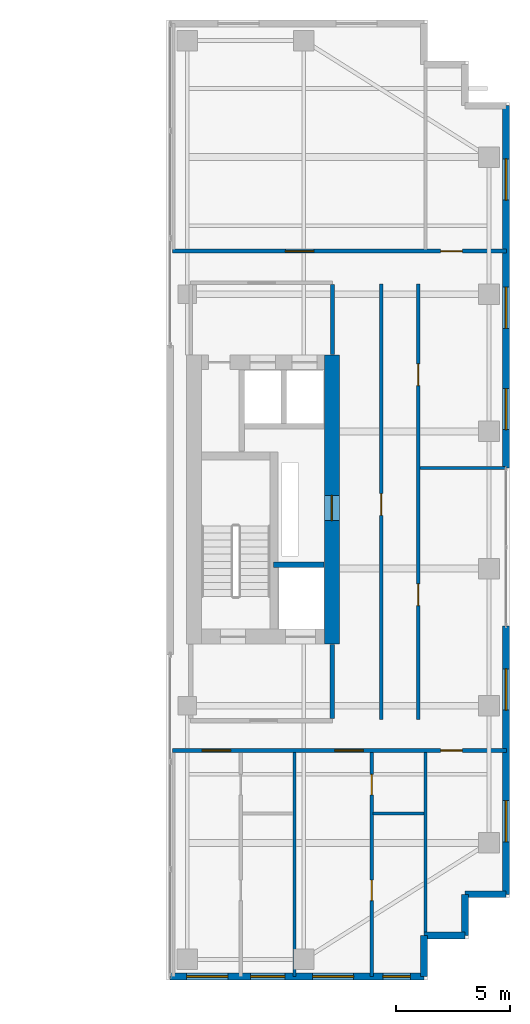
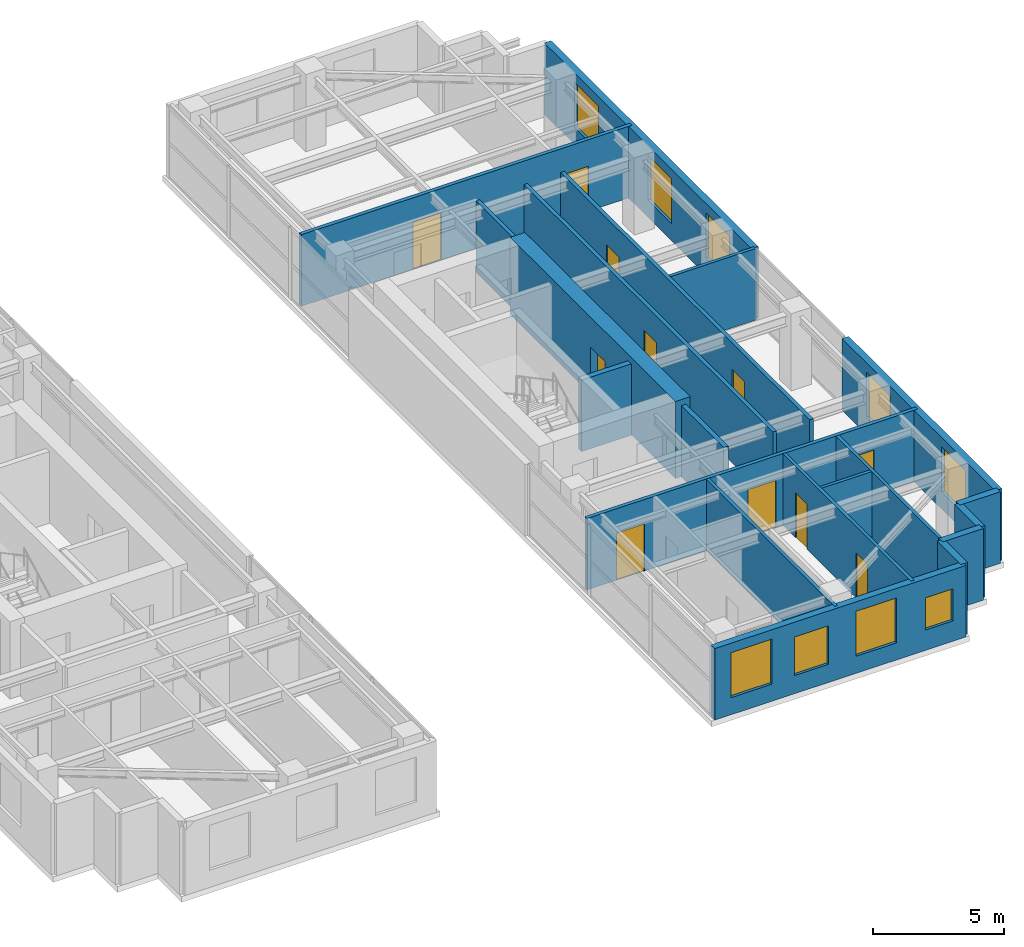
# One storey, part 18 of 20: 20 walls, 11 doors, 9 windows, 20 openings.
"""IFC4 building model written with IfcOpenShell, lengths in metres."""

from ifc_helpers import new_model, si_unit, direction, frame, frame_2d, origin, place, context, subcontext, project, spatial, rectangle, extrude, source, transform, mapped, material, layer, layer_set, type_object, element, fill, save


model = new_model("IFC4")

# Units and contexts
model_context = context("Model", 3, precision=1e-05, world=origin(), true_north=direction((0.0, 1.0)))
body_context = subcontext(model_context, "Body", "Model", "MODEL_VIEW")
ifc_project = project(units=[si_unit("LENGTHUNIT", "METRE"), si_unit("AREAUNIT", "SQUARE_METRE"), si_unit("VOLUMEUNIT", "CUBIC_METRE"), si_unit("PLANEANGLEUNIT", "RADIAN"), si_unit("MASSUNIT", "GRAM", prefix="KILO")], contexts=[model_context])

# Site, building, storey
site_placement = place(None, origin())
site = spatial("IfcSite", under=ifc_project, at=site_placement, CompositionType="ELEMENT")
building_placement = place(site_placement, origin())
building = spatial("IfcBuilding", under=site, at=building_placement, Name="Khoralis Quay Care Tower", CompositionType="ELEMENT")
storey_placement = place(building_placement, frame((0.0, 0.0, 198.89990234375)))
storey = spatial("IfcBuildingStorey", under=building, at=storey_placement, Name="L52", CompositionType="ELEMENT", Elevation=198.89990234375)

# Wall
ifc_material_1 = material(Name="Gypsum plasterboard on acoustic metal stud")
ifc_layer_1 = layer(ifc_material_1, 0.199951171875)
ifc_layer_set_1 = layer_set([ifc_layer_1], Name="Gypsum plasterboard on acoustic metal stud")
wall_type_1 = type_object("IfcWallType", Name="WL-COMP-200", PredefinedType="PARTITIONING", material=ifc_layer_set_1)
wall_1_placement = place(storey_placement, frame((37.25, 11.445068359375, 0.0), z_axis=(0.0, 0.0, 1.0), x_axis=(0.0, 1.0, 0.0)))
element("IfcWall", 1, at=wall_1_placement, inside=storey, type_object=wall_type_1, Name="L52 East Firefighting Lobby East Wall", PredefinedType="PARTITIONING", context=body_context, shape_type="SweptSolid", body=[
    extrude(rectangle(XDim=3.23486328125, YDim=0.199951171875, at=frame_2d((1.617431640625, 0.0))), origin(), (0.0, 0.0, 1.0), 3.340087890625),
])

# Wall, opening, door
ifc_material_2 = material(Name="Concrete C65/80", Category="concrete")
ifc_layer_2 = layer(ifc_material_2, 0.64990234375)
ifc_layer_set_2 = layer_set([ifc_layer_2], Name="Concrete C65/80")
wall_type_2 = type_object("IfcWallType", Name="WL-CORE-650", PredefinedType="SHEAR", material=ifc_layer_set_2)
wall_2_placement = place(storey_placement, frame((37.22509765625, 14.699951171875, 0.0), z_axis=(0.0, 0.0, 1.0), x_axis=(0.0, 1.0, 0.0)))
wall_2 = element("IfcWall", 2, at=wall_2_placement, inside=storey, type_object=wall_type_2, Name="L52 ECORE East Shear Wall", PredefinedType="SHEAR", context=body_context, shape_type="SweptSolid", body=[
    extrude(rectangle(XDim=12.650146484375, YDim=0.64990234375, at=frame_2d((6.3251953125, 0.0))), origin(), (0.0, 0.0, 1.0), 3.60009765625),
])
opening_1_placement = place(wall_2_placement, frame((5.39990234375, 0.0, 0.0)))
opening_1 = element("IfcOpeningElement", 3, at=opening_1_placement, cuts=wall_2, Name="Opening SD1", PredefinedType="OPENING", context=body_context, shape_type="SweptSolid", body=[
    extrude(rectangle(XDim=1.10009765625, YDim=2.199951171875, at=frame_2d((0.550048828125, 1.10009765625))), frame((0.0, 0.3349609375, 0.0), z_axis=(0.0, -1.0, 0.0), x_axis=(1.0, 0.0, 0.0)), (0.0, 0.0, 1.0), 0.669921875),
])
ifc_material_3 = material(Name="Fire-rated painted steel", Category="steel")
door_type_1 = type_object("IfcDoorType", Name="DR-STAIR-1100X2200", OperationType="NOTDEFINED", PredefinedType="DOOR", material=ifc_material_3)
shared_shape_1 = source(origin(), body_context, "Body", "SweptSolid", [
    extrude(rectangle(XDim=1.10009765625, YDim=2.199951171875, at=frame_2d((0.550048828125, 1.10009765625))), frame((0.0, 0.02490234375, 0.0), z_axis=(0.0, -1.0, 0.0), x_axis=(1.0, 0.0, 0.0)), (0.0, 0.0, 1.0), 0.050048828125),
])
door_1_placement = place(opening_1_placement, frame((1.10009765625, 0.0, 0.0), z_axis=(0.0, 0.0, 1.0), x_axis=(-1.0, 0.0, 0.0)))
door_1 = element("IfcDoor", 4, at=door_1_placement, inside=storey, type_object=door_type_1, Name="L52 East MEP Riser Door", OperationType="SINGLE_SWING_LEFT", OverallHeight=2.199951171875, OverallWidth=1.10009765625, PredefinedType="DOOR", context=body_context, shape_type="MappedRepresentation", body=[
    mapped(shared_shape_1, transform((0.0, 0.0, 0.0), scale=1.0)),
])
fill(opening_1, door_1)

# Wall
ifc_layer_3 = layer(ifc_material_1, 0.1650390625)
ifc_layer_set_3 = layer_set([ifc_layer_3], Name="Gypsum plasterboard on acoustic metal stud")
wall_type_3 = type_object("IfcWallType", Name="WL-CORR-165", PredefinedType="PARTITIONING", material=ifc_layer_set_3)
wall_3_placement = place(storey_placement, frame((37.25, 27.3701171875, 0.0), z_axis=(0.0, 0.0, 1.0), x_axis=(0.0, 1.0, 0.0)))
element("IfcWall", 5, at=wall_3_placement, inside=storey, type_object=wall_type_3, Name="L52 East Lift Lobby East Wall", PredefinedType="PARTITIONING", context=body_context, shape_type="SweptSolid", body=[
    extrude(rectangle(XDim=3.052490234375, YDim=0.1650390625, at=frame_2d((1.5263671875, 0.0))), origin(), (0.0, 0.0, 1.0), 3.340087890625),
])

# Wall, openings, doors
wall_4_placement = place(storey_placement, frame((30.25, 10.0400390625, 0.0), z_axis=(0.0, 0.0, 1.0), x_axis=(1.0, 0.0, 0.0)))
wall_4 = element("IfcWall", 6, at=wall_4_placement, inside=storey, type_object=wall_type_3, Name="L52 East Wing South Corridor Wall", PredefinedType="PARTITIONING", context=body_context, shape_type="SweptSolid", body=[
    extrude(rectangle(XDim=14.60498046875, YDim=0.1650390625, at=frame_2d((7.302490234375, 0.0))), origin(), (0.0, 0.0, 1.0), 3.340087890625),
])
opening_2_placement = place(wall_4_placement, frame((1.294921875, 0.0, 0.0)))
opening_2 = element("IfcOpeningElement", 7, at=opening_2_placement, cuts=wall_4, Name="Opening CD1", PredefinedType="OPENING", context=body_context, shape_type="SweptSolid", body=[
    extrude(rectangle(XDim=1.25, YDim=2.199951171875, at=frame_2d((0.625, 1.10009765625))), frame((0.0, 0.092529296875, 0.0), z_axis=(0.0, -1.0, 0.0), x_axis=(1.0, 0.0, 0.0)), (0.0, 0.0, 1.0), 0.18505859375),
])
opening_3_placement = place(wall_4_placement, frame((7.10498046875, 0.0, 0.0)))
opening_3 = element("IfcOpeningElement", 8, at=opening_3_placement, cuts=wall_4, Name="Opening CD1", PredefinedType="OPENING", context=body_context, shape_type="SweptSolid", body=[
    extrude(rectangle(XDim=1.25, YDim=2.199951171875, at=frame_2d((0.625, 1.10009765625))), frame((0.0, 0.092529296875, 0.0), z_axis=(0.0, -1.0, 0.0), x_axis=(1.0, 0.0, 0.0)), (0.0, 0.0, 1.0), 0.18505859375),
])
opening_4_placement = place(wall_4_placement, frame((11.735107421875, 0.0, 0.0)))
opening_4 = element("IfcOpeningElement", 9, at=opening_4_placement, cuts=wall_4, Name="Opening ID1", PredefinedType="OPENING", context=body_context, shape_type="SweptSolid", body=[
    extrude(rectangle(XDim=0.949951171875, YDim=2.10009765625, at=frame_2d((0.47509765625, 1.050048828125))), frame((0.0, 0.092529296875, 0.0), z_axis=(0.0, -1.0, 0.0), x_axis=(1.0, 0.0, 0.0)), (0.0, 0.0, 1.0), 0.18505859375),
])
ifc_material_4 = material(Name="Acoustic hardwood timber", Category="wood")
door_type_2 = type_object("IfcDoorType", Name="DR-CARE-1250X2200", OperationType="NOTDEFINED", PredefinedType="DOOR", material=ifc_material_4)
shared_shape_2 = source(origin(), body_context, "Body", "SweptSolid", [
    extrude(rectangle(XDim=1.25, YDim=2.199951171875, at=frame_2d((0.625, 1.10009765625))), frame((0.0, 0.02490234375, 0.0), z_axis=(0.0, -1.0, 0.0), x_axis=(1.0, 0.0, 0.0)), (0.0, 0.0, 1.0), 0.050048828125),
])
door_2_placement = place(opening_2_placement, frame((1.25, 0.0, 0.0), z_axis=(0.0, 0.0, 1.0), x_axis=(-1.0, 0.0, 0.0)))
door_2 = element("IfcDoor", 10, at=door_2_placement, inside=storey, type_object=door_type_2, Name="L52 Care Suite ES0 Clinical Door", OperationType="SINGLE_SWING_LEFT", OverallHeight=2.199951171875, OverallWidth=1.25, PredefinedType="DOOR", context=body_context, shape_type="MappedRepresentation", body=[
    mapped(shared_shape_2, transform((0.0, 0.0, 0.0), scale=1.0)),
])
fill(opening_2, door_2)
door_3_placement = place(opening_3_placement, frame((1.25, 0.0, 0.0), z_axis=(0.0, 0.0, 1.0), x_axis=(-1.0, 0.0, 0.0)))
door_3 = element("IfcDoor", 11, at=door_3_placement, inside=storey, type_object=door_type_2, Name="L52 Care Suite ES1 Clinical Door", OperationType="SINGLE_SWING_RIGHT", OverallHeight=2.199951171875, OverallWidth=1.25, PredefinedType="DOOR", context=body_context, shape_type="MappedRepresentation", body=[
    mapped(shared_shape_2, transform((0.0, 0.0, 0.0), scale=1.0)),
])
fill(opening_3, door_3)
door_type_3 = type_object("IfcDoorType", Name="DR-ROOM-950X2100", OperationType="NOTDEFINED", PredefinedType="DOOR", material=ifc_material_4)
shared_shape_3 = source(origin(), body_context, "Body", "SweptSolid", [
    extrude(rectangle(XDim=0.949951171875, YDim=2.10009765625, at=frame_2d((0.47509765625, 1.050048828125))), frame((0.0, 0.02490234375, 0.0), z_axis=(0.0, -1.0, 0.0), x_axis=(1.0, 0.0, 0.0)), (0.0, 0.0, 1.0), 0.050048828125),
])
door_4_placement = place(opening_4_placement, frame((0.949951171875, 0.0, 0.0), z_axis=(0.0, 0.0, 1.0), x_axis=(-1.0, 0.0, 0.0)))
door_4 = element("IfcDoor", 12, at=door_4_placement, inside=storey, type_object=door_type_3, Name="L52 SE Corner Door", OperationType="SINGLE_SWING_RIGHT", OverallHeight=2.10009765625, OverallWidth=0.949951171875, PredefinedType="DOOR", context=body_context, shape_type="MappedRepresentation", body=[
    mapped(shared_shape_3, transform((0.0, 0.0, 0.0), scale=1.0)),
])
fill(opening_4, door_4)

wall_5_placement = place(storey_placement, frame((30.25, 31.889892578125, 0.0), z_axis=(0.0, 0.0, 1.0), x_axis=(1.0, 0.0, 0.0)))
wall_5 = element("IfcWall", 13, at=wall_5_placement, inside=storey, type_object=wall_type_3, Name="L52 East Wing North Corridor Wall", PredefinedType="PARTITIONING", context=body_context, shape_type="SweptSolid", body=[
    extrude(rectangle(XDim=14.60498046875, YDim=0.1650390625, at=frame_2d((7.302490234375, 0.0))), origin(), (0.0, 0.0, 1.0), 3.340087890625),
])
opening_5_placement = place(wall_5_placement, frame((4.93505859375, 0.0, 0.0)))
opening_5 = element("IfcOpeningElement", 14, at=opening_5_placement, cuts=wall_5, Name="Opening CD1", PredefinedType="OPENING", context=body_context, shape_type="SweptSolid", body=[
    extrude(rectangle(XDim=1.25, YDim=2.199951171875, at=frame_2d((0.625, 1.10009765625))), frame((0.0, 0.092529296875, 0.0), z_axis=(0.0, -1.0, 0.0), x_axis=(1.0, 0.0, 0.0)), (0.0, 0.0, 1.0), 0.18505859375),
])
opening_6_placement = place(wall_5_placement, frame((11.735107421875, 0.0, 0.0)))
opening_6 = element("IfcOpeningElement", 15, at=opening_6_placement, cuts=wall_5, Name="Opening ID1", PredefinedType="OPENING", context=body_context, shape_type="SweptSolid", body=[
    extrude(rectangle(XDim=0.949951171875, YDim=2.10009765625, at=frame_2d((0.47509765625, 1.050048828125))), frame((0.0, 0.092529296875, 0.0), z_axis=(0.0, -1.0, 0.0), x_axis=(1.0, 0.0, 0.0)), (0.0, 0.0, 1.0), 0.18505859375),
])
door_5_placement = place(opening_5_placement, origin())
door_5 = element("IfcDoor", 16, at=door_5_placement, inside=storey, type_object=door_type_2, Name="L52 Physiotherapy Treatment Clinic Door", OperationType="SINGLE_SWING_LEFT", OverallHeight=2.199951171875, OverallWidth=1.25, PredefinedType="DOOR", context=body_context, shape_type="MappedRepresentation", body=[
    mapped(shared_shape_2, transform((0.0, 0.0, 0.0), scale=1.0)),
])
fill(opening_5, door_5)
door_6_placement = place(opening_6_placement, origin())
door_6 = element("IfcDoor", 17, at=door_6_placement, inside=storey, type_object=door_type_3, Name="L52 NE Corner Door", OperationType="SINGLE_SWING_LEFT", OverallHeight=2.10009765625, OverallWidth=0.949951171875, PredefinedType="DOOR", context=body_context, shape_type="MappedRepresentation", body=[
    mapped(shared_shape_3, transform((0.0, 0.0, 0.0), scale=1.0)),
])
fill(opening_6, door_6)

wall_6_placement = place(storey_placement, frame((41.0, 11.39990234375, 0.0), z_axis=(0.0, 0.0, 1.0), x_axis=(0.0, 1.0, 0.0)))
wall_6 = element("IfcWall", 18, at=wall_6_placement, inside=storey, type_object=wall_type_3, Name="L52 East Gallery Wall", PredefinedType="PARTITIONING", context=body_context, shape_type="SweptSolid", body=[
    extrude(rectangle(XDim=19.050048828125, YDim=0.1650390625, at=frame_2d((9.52490234375, 0.0))), origin(), (0.0, 0.0, 1.0), 3.340087890625),
])
opening_7_placement = place(wall_6_placement, frame((4.97509765625, 0.0, 0.0)))
opening_7 = element("IfcOpeningElement", 19, at=opening_7_placement, cuts=wall_6, Name="Opening ID1", PredefinedType="OPENING", context=body_context, shape_type="SweptSolid", body=[
    extrude(rectangle(XDim=0.949951171875, YDim=2.10009765625, at=frame_2d((0.47509765625, 1.050048828125))), frame((0.0, 0.092529296875, 0.0), z_axis=(0.0, -1.0, 0.0), x_axis=(1.0, 0.0, 0.0)), (0.0, 0.0, 1.0), 0.18505859375),
])
opening_8_placement = place(wall_6_placement, frame((14.60009765625, 0.0, 0.0)))
opening_8 = element("IfcOpeningElement", 20, at=opening_8_placement, cuts=wall_6, Name="Opening ID1", PredefinedType="OPENING", context=body_context, shape_type="SweptSolid", body=[
    extrude(rectangle(XDim=0.949951171875, YDim=2.10009765625, at=frame_2d((0.47509765625, 1.050048828125))), frame((0.0, 0.092529296875, 0.0), z_axis=(0.0, -1.0, 0.0), x_axis=(1.0, 0.0, 0.0)), (0.0, 0.0, 1.0), 0.18505859375),
])
door_7_placement = place(opening_7_placement, origin())
door_7 = element("IfcDoor", 21, at=door_7_placement, inside=storey, type_object=door_type_3, Name="L52 East Waterfront Rehab Clinic Door", OperationType="SINGLE_SWING_LEFT", OverallHeight=2.10009765625, OverallWidth=0.949951171875, PredefinedType="DOOR", context=body_context, shape_type="MappedRepresentation", body=[
    mapped(shared_shape_3, transform((0.0, 0.0, 0.0), scale=1.0)),
])
fill(opening_7, door_7)
door_8_placement = place(opening_8_placement, origin())
door_8 = element("IfcDoor", 22, at=door_8_placement, inside=storey, type_object=door_type_3, Name="L52 East Bay Care Office Door", OperationType="SINGLE_SWING_RIGHT", OverallHeight=2.10009765625, OverallWidth=0.949951171875, PredefinedType="DOOR", context=body_context, shape_type="MappedRepresentation", body=[
    mapped(shared_shape_3, transform((0.0, 0.0, 0.0), scale=1.0)),
])
fill(opening_8, door_8)

# Wall, opening, door
wall_7_placement = place(storey_placement, frame((39.3798828125, 11.39990234375, 0.0), z_axis=(0.0, 0.0, 1.0), x_axis=(0.0, 1.0, 0.0)))
wall_7 = element("IfcWall", 23, at=wall_7_placement, inside=storey, type_object=wall_type_3, Name="L52 East Inner Clinic Wall", PredefinedType="PARTITIONING", context=body_context, shape_type="SweptSolid", body=[
    extrude(rectangle(XDim=19.050048828125, YDim=0.1650390625, at=frame_2d((9.52490234375, 0.0))), origin(), (0.0, 0.0, 1.0), 3.340087890625),
])
opening_9_placement = place(wall_7_placement, frame((8.925048828125, 0.0, 0.0)))
opening_9 = element("IfcOpeningElement", 24, at=opening_9_placement, cuts=wall_7, Name="Opening ID1", PredefinedType="OPENING", context=body_context, shape_type="SweptSolid", body=[
    extrude(rectangle(XDim=0.949951171875, YDim=2.10009765625, at=frame_2d((0.47509765625, 1.050048828125))), frame((0.0, 0.092529296875, 0.0), z_axis=(0.0, -1.0, 0.0), x_axis=(1.0, 0.0, 0.0)), (0.0, 0.0, 1.0), 0.18505859375),
])
door_9_placement = place(opening_9_placement, frame((0.949951171875, 0.0, 0.0), z_axis=(0.0, 0.0, 1.0), x_axis=(-1.0, 0.0, 0.0)))
door_9 = element("IfcDoor", 25, at=door_9_placement, inside=storey, type_object=door_type_3, Name="L52 East Rehab Therapy Door", OperationType="SINGLE_SWING_LEFT", OverallHeight=2.10009765625, OverallWidth=0.949951171875, PredefinedType="DOOR", context=body_context, shape_type="MappedRepresentation", body=[
    mapped(shared_shape_3, transform((0.0, 0.0, 0.0), scale=1.0)),
])
fill(opening_9, door_9)

# Wall, openings, windows
ifc_material_5 = material(Name="Precast concrete C45/55", Category="concrete")
ifc_layer_4 = layer(ifc_material_5, 0.300048828125)
ifc_layer_set_4 = layer_set([ifc_layer_4], Name="Precast concrete C45/55")
wall_type_4 = type_object("IfcWallType", Name="WL-EXT-REF-300", PredefinedType="SOLIDWALL", material=ifc_layer_set_4)
wall_8_placement = place(storey_placement, frame((30.14990234375, 0.14990234375, 0.0), z_axis=(0.0, 0.0, 1.0), x_axis=(1.0, 0.0, 0.0)))
wall_8 = element("IfcWall", 26, at=wall_8_placement, inside=storey, type_object=wall_type_4, Name="L52 External Facade Wall WL-EXT-L52-P2-E0", PredefinedType="SOLIDWALL", context=body_context, shape_type="SweptSolid", body=[
    extrude(rectangle(XDim=11.10009765625, YDim=0.300048828125, at=frame_2d((5.550048828125, 0.0))), origin(), (0.0, 0.0, 1.0), 3.340087890625),
])
opening_10_placement = place(wall_8_placement, frame((0.719970703125, 0.0, 0.800048828125)))
opening_10 = element("IfcOpeningElement", 27, at=opening_10_placement, cuts=wall_8, Name="Opening W2", PredefinedType="OPENING", context=body_context, shape_type="SweptSolid", body=[
    extrude(rectangle(XDim=1.800048828125, YDim=2.10009765625, at=frame_2d((0.89990234375, 1.050048828125))), frame((0.0, 0.16015625, 0.0), z_axis=(0.0, -1.0, 0.0), x_axis=(1.0, 0.0, 0.0)), (0.0, 0.0, 1.0), 0.320068359375),
])
opening_11_placement = place(wall_8_placement, frame((3.514892578125, 0.0, 0.85009765625)))
opening_11 = element("IfcOpeningElement", 28, at=opening_11_placement, cuts=wall_8, Name="Opening W3", PredefinedType="OPENING", context=body_context, shape_type="SweptSolid", body=[
    extrude(rectangle(XDim=1.5, YDim=1.800048828125, at=frame_2d((0.75, 0.89990234375))), frame((0.0, 0.16015625, 0.0), z_axis=(0.0, -1.0, 0.0), x_axis=(1.0, 0.0, 0.0)), (0.0, 0.0, 1.0), 0.320068359375),
])
opening_12_placement = place(wall_8_placement, frame((6.22998046875, 0.0, 0.800048828125)))
opening_12 = element("IfcOpeningElement", 29, at=opening_12_placement, cuts=wall_8, Name="Opening W2", PredefinedType="OPENING", context=body_context, shape_type="SweptSolid", body=[
    extrude(rectangle(XDim=1.800048828125, YDim=2.10009765625, at=frame_2d((0.89990234375, 1.050048828125))), frame((0.0, 0.16015625, 0.0), z_axis=(0.0, -1.0, 0.0), x_axis=(1.0, 0.0, 0.0)), (0.0, 0.0, 1.0), 0.320068359375),
])
opening_13_placement = place(wall_8_placement, frame((9.31005859375, 0.0, 0.949951171875)))
opening_13 = element("IfcOpeningElement", 30, at=opening_13_placement, cuts=wall_8, Name="Opening W6", PredefinedType="OPENING", context=body_context, shape_type="SweptSolid", body=[
    extrude(rectangle(XDim=1.199951171875, YDim=1.5, at=frame_2d((0.60009765625, 0.75))), frame((0.0, 0.16015625, 0.0), z_axis=(0.0, -1.0, 0.0), x_axis=(1.0, 0.0, 0.0)), (0.0, 0.0, 1.0), 0.320068359375),
])
ifc_material_6 = material(Name="Low-E solar-control double glazing", Category="glass")
window_type_1 = type_object("IfcWindowType", Name="WN-CLIN-1500X1800", PartitioningType="SINGLE_PANEL", PredefinedType="WINDOW", material=ifc_material_6)
shared_shape_4 = source(origin(), body_context, "Body", "SweptSolid", [
    extrude(rectangle(XDim=1.5, YDim=1.800048828125, at=frame_2d((0.75, 0.89990234375))), frame((0.0, 0.030029296875, 0.0), z_axis=(0.0, -1.0, 0.0), x_axis=(1.0, 0.0, 0.0)), (0.0, 0.0, 1.0), 0.06005859375),
])
window_1_placement = place(opening_11_placement, origin())
window_1 = element("IfcWindow", 31, at=window_1_placement, inside=storey, type_object=window_type_1, Name="WN-L52-P2-E0 Facade Window 02", OverallHeight=1.800048828125, OverallWidth=1.5, PartitioningType="SINGLE_PANEL", PredefinedType="WINDOW", context=body_context, shape_type="MappedRepresentation", body=[
    mapped(shared_shape_4, transform((0.0, 0.0, 0.0), scale=1.0)),
])
fill(opening_11, window_1)
window_type_2 = type_object("IfcWindowType", Name="WN-SCH-1200X1500", PartitioningType="SINGLE_PANEL", PredefinedType="WINDOW", material=ifc_material_6)
shared_shape_5 = source(origin(), body_context, "Body", "SweptSolid", [
    extrude(rectangle(XDim=1.199951171875, YDim=1.5, at=frame_2d((0.60009765625, 0.75))), frame((0.0, 0.030029296875, 0.0), z_axis=(0.0, -1.0, 0.0), x_axis=(1.0, 0.0, 0.0)), (0.0, 0.0, 1.0), 0.06005859375),
])
window_2_placement = place(opening_13_placement, origin())
window_2 = element("IfcWindow", 32, at=window_2_placement, inside=storey, type_object=window_type_2, Name="WN-L52-P2-E0 Facade Window 04", OverallHeight=1.5, OverallWidth=1.199951171875, PartitioningType="SINGLE_PANEL", PredefinedType="WINDOW", context=body_context, shape_type="MappedRepresentation", body=[
    mapped(shared_shape_5, transform((0.0, 0.0, 0.0), scale=1.0)),
])
fill(opening_13, window_2)
window_type_3 = type_object("IfcWindowType", Name="WN-POD-1800X2100", PartitioningType="SINGLE_PANEL", PredefinedType="WINDOW", material=ifc_material_6)
shared_shape_6 = source(origin(), body_context, "Body", "SweptSolid", [
    extrude(rectangle(XDim=1.800048828125, YDim=2.10009765625, at=frame_2d((0.89990234375, 1.050048828125))), frame((0.0, 0.030029296875, 0.0), z_axis=(0.0, -1.0, 0.0), x_axis=(1.0, 0.0, 0.0)), (0.0, 0.0, 1.0), 0.06005859375),
])
window_3_placement = place(opening_10_placement, origin())
window_3 = element("IfcWindow", 33, at=window_3_placement, inside=storey, type_object=window_type_3, Name="WN-L52-P2-E0 Facade Window 01", OverallHeight=2.10009765625, OverallWidth=1.800048828125, PartitioningType="SINGLE_PANEL", PredefinedType="WINDOW", context=body_context, shape_type="MappedRepresentation", body=[
    mapped(shared_shape_6, transform((0.0, 0.0, 0.0), scale=1.0)),
])
fill(opening_10, window_3)
window_4_placement = place(opening_12_placement, origin())
window_4 = element("IfcWindow", 34, at=window_4_placement, inside=storey, type_object=window_type_3, Name="WN-L52-P2-E0 Facade Window 03", OverallHeight=2.10009765625, OverallWidth=1.800048828125, PartitioningType="SINGLE_PANEL", PredefinedType="WINDOW", context=body_context, shape_type="MappedRepresentation", body=[
    mapped(shared_shape_6, transform((0.0, 0.0, 0.0), scale=1.0)),
])
fill(opening_12, window_4)

# Walls
for number, where, z_axis, x_axis, name in (
    (35, (41.25, 0.14990234375, 0.0), (0.0, 0.0, 1.0), (0.0, 1.0, 0.0), "L52 External Facade Wall WL-EXT-L52-P2-C1"),
    (36, (41.25, 1.949951171875, 0.0), (0.0, 0.0, 1.0), (1.0, 0.0, 0.0), "L52 External Facade Wall WL-EXT-L52-P2-C2"),
    (37, (43.050048828125, 1.949951171875, 0.0), (0.0, 0.0, 1.0), (0.0, 1.0, 0.0), "L52 External Facade Wall WL-EXT-L52-P2-C3"),
    (38, (43.050048828125, 3.75, 0.0), (0.0, 0.0, 1.0), (1.0, 0.0, 0.0), "L52 External Facade Wall WL-EXT-L52-P2-C4"),
):
    element("IfcWall", number, at=place(storey_placement, frame(where, z_axis=z_axis, x_axis=x_axis)), inside=storey, type_object=wall_type_4, Name=name, PredefinedType="SOLIDWALL", context=body_context, shape_type="SweptSolid", body=[
        extrude(rectangle(XDim=1.800048828125, YDim=0.300048828125, at=frame_2d((0.89990234375, 0.0))), origin(), (0.0, 0.0, 1.0), 3.340087890625),
    ])

# Wall, openings, windows
wall_9_placement = place(storey_placement, frame((44.85009765625, 3.75, 0.0), z_axis=(0.0, 0.0, 1.0), x_axis=(0.0, 1.0, 0.0)))
wall_9 = element("IfcWall", 39, at=wall_9_placement, inside=storey, type_object=wall_type_4, Name="L52 External Facade Wall WL-EXT-L52-P2-E5A", PredefinedType="SOLIDWALL", context=body_context, shape_type="SweptSolid", body=[
    extrude(rectangle(XDim=11.72998046875, YDim=0.300048828125, at=frame_2d((5.864990234375, 0.0))), origin(), (0.0, 0.0, 1.0), 3.340087890625),
])
opening_14_placement = place(wall_9_placement, frame((2.294921875, 0.0, 0.800048828125)))
opening_14 = element("IfcOpeningElement", 40, at=opening_14_placement, cuts=wall_9, Name="Opening W2", PredefinedType="OPENING", context=body_context, shape_type="SweptSolid", body=[
    extrude(rectangle(XDim=1.800048828125, YDim=2.10009765625, at=frame_2d((0.89990234375, 1.050048828125))), frame((0.0, 0.16015625, 0.0), z_axis=(0.0, -1.0, 0.0), x_axis=(1.0, 0.0, 0.0)), (0.0, 0.0, 1.0), 0.320068359375),
])
opening_15_placement = place(wall_9_placement, frame((8.06005859375, 0.0, 0.800048828125)))
opening_15 = element("IfcOpeningElement", 41, at=opening_15_placement, cuts=wall_9, Name="Opening W2", PredefinedType="OPENING", context=body_context, shape_type="SweptSolid", body=[
    extrude(rectangle(XDim=1.800048828125, YDim=2.10009765625, at=frame_2d((0.89990234375, 1.050048828125))), frame((0.0, 0.16015625, 0.0), z_axis=(0.0, -1.0, 0.0), x_axis=(1.0, 0.0, 0.0)), (0.0, 0.0, 1.0), 0.320068359375),
])
window_5_placement = place(opening_14_placement, origin())
window_5 = element("IfcWindow", 42, at=window_5_placement, inside=storey, type_object=window_type_3, Name="WN-L52-P2-E5A Facade Window 01", OverallHeight=2.10009765625, OverallWidth=1.800048828125, PartitioningType="SINGLE_PANEL", PredefinedType="WINDOW", context=body_context, shape_type="MappedRepresentation", body=[
    mapped(shared_shape_6, transform((0.0, 0.0, 0.0), scale=1.0)),
])
fill(opening_14, window_5)
window_6_placement = place(opening_15_placement, origin())
window_6 = element("IfcWindow", 43, at=window_6_placement, inside=storey, type_object=window_type_3, Name="WN-L52-P2-E5A Facade Window 02", OverallHeight=2.10009765625, OverallWidth=1.800048828125, PartitioningType="SINGLE_PANEL", PredefinedType="WINDOW", context=body_context, shape_type="MappedRepresentation", body=[
    mapped(shared_shape_6, transform((0.0, 0.0, 0.0), scale=1.0)),
])
fill(opening_15, window_6)

wall_10_placement = place(storey_placement, frame((44.85009765625, 22.39990234375, 0.0), z_axis=(0.0, 0.0, 1.0), x_axis=(0.0, 1.0, 0.0)))
wall_10 = element("IfcWall", 44, at=wall_10_placement, inside=storey, type_object=wall_type_4, Name="L52 External Facade Wall WL-EXT-L52-P2-E5B", PredefinedType="SOLIDWALL", context=body_context, shape_type="SweptSolid", body=[
    extrude(rectangle(XDim=15.85009765625, YDim=0.300048828125, at=frame_2d((7.925048828125, 0.0))), origin(), (0.0, 0.0, 1.0), 3.340087890625),
])
opening_16_placement = place(wall_10_placement, frame((1.677490234375, 0.0, 0.800048828125)))
opening_16 = element("IfcOpeningElement", 45, at=opening_16_placement, cuts=wall_10, Name="Opening W2", PredefinedType="OPENING", context=body_context, shape_type="SweptSolid", body=[
    extrude(rectangle(XDim=1.800048828125, YDim=2.10009765625, at=frame_2d((0.89990234375, 1.050048828125))), frame((0.0, 0.16015625, 0.0), z_axis=(0.0, -1.0, 0.0), x_axis=(1.0, 0.0, 0.0)), (0.0, 0.0, 1.0), 0.320068359375),
])
opening_17_placement = place(wall_10_placement, frame((6.112548828125, 0.0, 0.800048828125)))
opening_17 = element("IfcOpeningElement", 46, at=opening_17_placement, cuts=wall_10, Name="Opening W2", PredefinedType="OPENING", context=body_context, shape_type="SweptSolid", body=[
    extrude(rectangle(XDim=1.800048828125, YDim=2.10009765625, at=frame_2d((0.89990234375, 1.050048828125))), frame((0.0, 0.16015625, 0.0), z_axis=(0.0, -1.0, 0.0), x_axis=(1.0, 0.0, 0.0)), (0.0, 0.0, 1.0), 0.320068359375),
])
opening_18_placement = place(wall_10_placement, frame((11.719970703125, 0.0, 0.800048828125)))
opening_18 = element("IfcOpeningElement", 47, at=opening_18_placement, cuts=wall_10, Name="Opening W2", PredefinedType="OPENING", context=body_context, shape_type="SweptSolid", body=[
    extrude(rectangle(XDim=1.800048828125, YDim=2.10009765625, at=frame_2d((0.89990234375, 1.050048828125))), frame((0.0, 0.16015625, 0.0), z_axis=(0.0, -1.0, 0.0), x_axis=(1.0, 0.0, 0.0)), (0.0, 0.0, 1.0), 0.320068359375),
])
window_7_placement = place(opening_16_placement, origin())
window_7 = element("IfcWindow", 48, at=window_7_placement, inside=storey, type_object=window_type_3, Name="WN-L52-P2-E5B Facade Window 01", OverallHeight=2.10009765625, OverallWidth=1.800048828125, PartitioningType="SINGLE_PANEL", PredefinedType="WINDOW", context=body_context, shape_type="MappedRepresentation", body=[
    mapped(shared_shape_6, transform((0.0, 0.0, 0.0), scale=1.0)),
])
fill(opening_16, window_7)
window_8_placement = place(opening_17_placement, origin())
window_8 = element("IfcWindow", 49, at=window_8_placement, inside=storey, type_object=window_type_3, Name="WN-L52-P2-E5B Facade Window 02", OverallHeight=2.10009765625, OverallWidth=1.800048828125, PartitioningType="SINGLE_PANEL", PredefinedType="WINDOW", context=body_context, shape_type="MappedRepresentation", body=[
    mapped(shared_shape_6, transform((0.0, 0.0, 0.0), scale=1.0)),
])
fill(opening_17, window_8)
window_9_placement = place(opening_18_placement, origin())
window_9 = element("IfcWindow", 50, at=window_9_placement, inside=storey, type_object=window_type_3, Name="WN-L52-P2-E5B Facade Window 03", OverallHeight=2.10009765625, OverallWidth=1.800048828125, PartitioningType="SINGLE_PANEL", PredefinedType="WINDOW", context=body_context, shape_type="MappedRepresentation", body=[
    mapped(shared_shape_6, transform((0.0, 0.0, 0.0), scale=1.0)),
])
fill(opening_18, window_9)

# Wall, openings, doors
ifc_material_7 = material(Name="Moisture-resistant gypsum and ceramic tile")
ifc_layer_5 = layer(ifc_material_7, 0.280029296875)
ifc_layer_set_5 = layer_set([ifc_layer_5], Name="Moisture-resistant gypsum and ceramic tile")
wall_type_5 = type_object("IfcWallType", Name="WL-PLUMB-280", PredefinedType="PLUMBINGWALL", material=ifc_layer_set_5)
wall_11_placement = place(storey_placement, frame((38.969970703125, 0.14501953125, 0.0), z_axis=(0.0, 0.0, 1.0), x_axis=(0.0, 1.0, 0.0)))
wall_11 = element("IfcWall", 51, at=wall_11_placement, inside=storey, type_object=wall_type_5, Name="L52 Care Suite 1 En-Suite Wall V", PredefinedType="PLUMBINGWALL", context=body_context, shape_type="SweptSolid", body=[
    extrude(rectangle(XDim=9.8173828125, YDim=0.139892578125, at=frame_2d((4.90869140625, 0.0))), origin(), (0.0, 0.0, 1.0), 3.340087890625),
])
opening_19_placement = place(wall_11_placement, frame((7.955078125, 0.0, 0.0)))
opening_19 = element("IfcOpeningElement", 52, at=opening_19_placement, cuts=wall_11, Name="Opening WD1", PredefinedType="OPENING", context=body_context, shape_type="SweptSolid", body=[
    extrude(rectangle(XDim=0.89990234375, YDim=2.10009765625, at=frame_2d((0.449951171875, 1.050048828125))), frame((0.0, 0.080078125, 0.0), z_axis=(0.0, -1.0, 0.0), x_axis=(1.0, 0.0, 0.0)), (0.0, 0.0, 1.0), 0.159912109375),
])
opening_20_placement = place(wall_11_placement, frame((3.324951171875, 0.0, 0.0)))
opening_20 = element("IfcOpeningElement", 53, at=opening_20_placement, cuts=wall_11, Name="Opening WD1", PredefinedType="OPENING", context=body_context, shape_type="SweptSolid", body=[
    extrude(rectangle(XDim=0.89990234375, YDim=2.10009765625, at=frame_2d((0.449951171875, 1.050048828125))), frame((0.0, 0.080078125, 0.0), z_axis=(0.0, -1.0, 0.0), x_axis=(1.0, 0.0, 0.0)), (0.0, 0.0, 1.0), 0.159912109375),
])
door_type_4 = type_object("IfcDoorType", Name="DR-BATH-900X2100", OperationType="NOTDEFINED", PredefinedType="DOOR", material=ifc_material_4)
shared_shape_7 = source(origin(), body_context, "Body", "SweptSolid", [
    extrude(rectangle(XDim=0.89990234375, YDim=2.10009765625, at=frame_2d((0.449951171875, 1.050048828125))), frame((0.0, 0.02490234375, 0.0), z_axis=(0.0, -1.0, 0.0), x_axis=(1.0, 0.0, 0.0)), (0.0, 0.0, 1.0), 0.050048828125),
])
door_10_placement = place(opening_19_placement, frame((0.89990234375, 0.0, 0.0), z_axis=(0.0, 0.0, 1.0), x_axis=(-1.0, 0.0, 0.0)))
door_10 = element("IfcDoor", 54, at=door_10_placement, inside=storey, type_object=door_type_4, Name="L52 Care CENS Door", OperationType="SINGLE_SWING_LEFT", OverallHeight=2.10009765625, OverallWidth=0.89990234375, PredefinedType="DOOR", context=body_context, shape_type="MappedRepresentation", body=[
    mapped(shared_shape_7, transform((0.0, 0.0, 0.0), scale=1.0)),
])
fill(opening_19, door_10)
door_11_placement = place(opening_20_placement, frame((0.89990234375, 0.0, 0.0), z_axis=(0.0, 0.0, 1.0), x_axis=(-1.0, 0.0, 0.0)))
door_11 = element("IfcDoor", 55, at=door_11_placement, inside=storey, type_object=door_type_4, Name="L52 Care CSIT Door", OperationType="SINGLE_SWING_RIGHT", OverallHeight=2.10009765625, OverallWidth=0.89990234375, PredefinedType="DOOR", context=body_context, shape_type="MappedRepresentation", body=[
    mapped(shared_shape_7, transform((0.0, 0.0, 0.0), scale=1.0)),
])
fill(opening_20, door_11)

# Walls
wall_12_placement = place(storey_placement, frame((39.034912109375, 7.2900390625, 0.0), z_axis=(0.0, 0.0, 1.0), x_axis=(1.0, 0.0, 0.0)))
element("IfcWall", 56, at=wall_12_placement, inside=storey, type_object=wall_type_5, Name="L52 Care Suite 1 En-Suite Wall H", PredefinedType="PLUMBINGWALL", context=body_context, shape_type="SweptSolid", body=[
    extrude(rectangle(XDim=2.219970703125, YDim=0.139892578125, at=frame_2d((1.10986328125, 0.0))), origin(), (0.0, 0.0, 1.0), 3.340087890625),
])
ifc_layer_6 = layer(ifc_material_1, 0.239990234375)
ifc_layer_set_6 = layer_set([ifc_layer_6], Name="Gypsum plasterboard on acoustic metal stud")
wall_type_6 = type_object("IfcWallType", Name="WL-SHAFT-240", PredefinedType="PARTITIONING", material=ifc_layer_set_6)
wall_13_placement = place(storey_placement, frame((34.679931640625, 18.169921875, 0.0), z_axis=(0.0, 0.0, 1.0), x_axis=(1.0, 0.0, 0.0)))
element("IfcWall", 57, at=wall_13_placement, inside=storey, type_object=wall_type_6, Name="L52 FFL-2 Shaft Wall North", PredefinedType="PARTITIONING", context=body_context, shape_type="SweptSolid", body=[
    extrude(rectangle(XDim=2.199951171875, YDim=0.239990234375, at=frame_2d((1.10009765625, 0.0))), origin(), (0.0, 0.0, 1.0), 3.340087890625),
])
ifc_layer_7 = layer(ifc_material_1, 0.139892578125)
ifc_layer_set_7 = layer_set([ifc_layer_7], Name="Gypsum plasterboard on acoustic metal stud")
wall_type_7 = type_object("IfcWallType", Name="WL-UNIT-140", PredefinedType="PARTITIONING", material=ifc_layer_set_7)
wall_14_placement = place(storey_placement, frame((41.077392578125, 22.39990234375, 0.0), z_axis=(0.0, 0.0, 1.0), x_axis=(1.0, 0.0, 0.0)))
element("IfcWall", 58, at=wall_14_placement, inside=storey, type_object=wall_type_7, Name="L52 East Mid Split", PredefinedType="PARTITIONING", context=body_context, shape_type="SweptSolid", body=[
    extrude(rectangle(XDim=3.777587890625, YDim=0.139892578125, at=frame_2d((1.888671875, 0.0))), origin(), (0.0, 0.0, 1.0), 3.340087890625),
])
wall_15_placement = place(storey_placement, frame((35.590087890625, 0.14501953125, 0.0), z_axis=(0.0, 0.0, 1.0), x_axis=(0.0, 1.0, 0.0)))
element("IfcWall", 59, at=wall_15_placement, inside=storey, type_object=wall_type_7, Name="L52 ES Demising Wall 1", PredefinedType="PARTITIONING", context=body_context, shape_type="SweptSolid", body=[
    extrude(rectangle(XDim=9.8173828125, YDim=0.139892578125, at=frame_2d((4.90869140625, 0.0))), origin(), (0.0, 0.0, 1.0), 3.340087890625),
])
wall_16_placement = place(storey_placement, frame((41.320068359375, 1.945068359375, 0.0), z_axis=(0.0, 0.0, 1.0), x_axis=(0.0, 1.0, 0.0)))
element("IfcWall", 60, at=wall_16_placement, inside=storey, type_object=wall_type_7, Name="L52 ES Demising Wall 2", PredefinedType="PARTITIONING", context=body_context, shape_type="SweptSolid", body=[
    extrude(rectangle(XDim=8.017333984375, YDim=0.139892578125, at=frame_2d((4.0087890625, 0.0))), origin(), (0.0, 0.0, 1.0), 3.340087890625),
])

save(model, "model.ifc")
